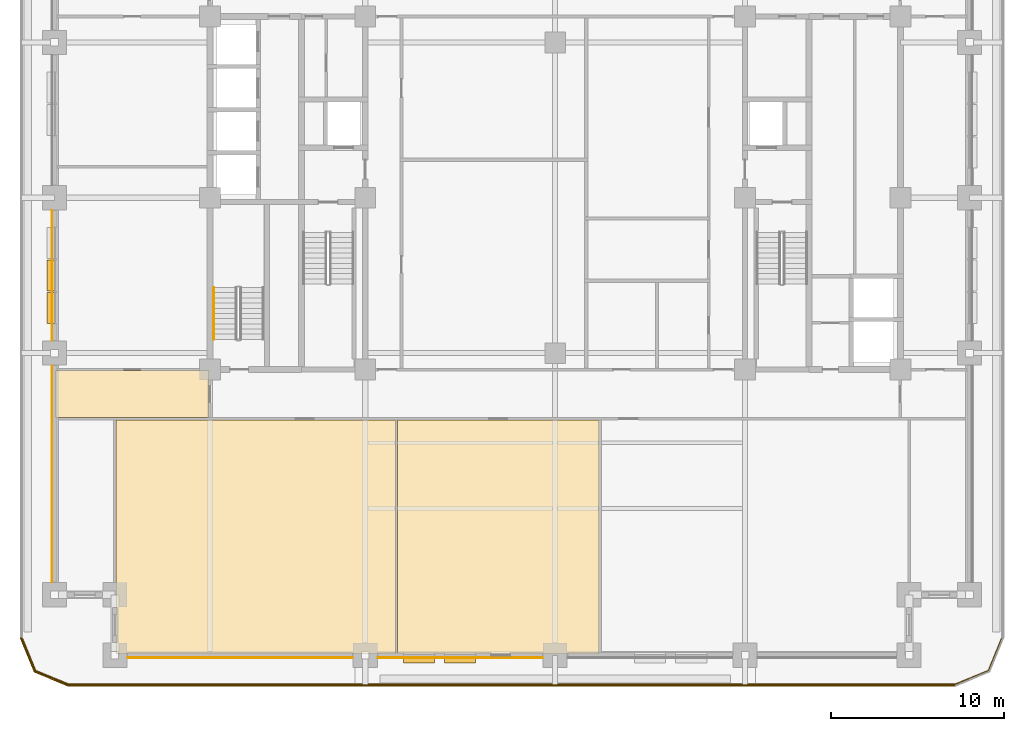
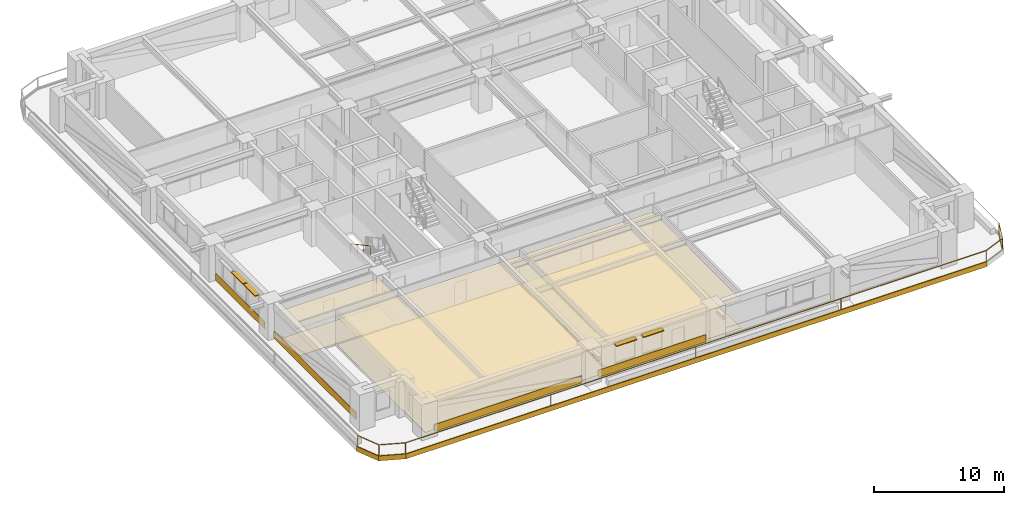
# One storey, part 7 of 14: 13 coverings, 4 shading devices, 2 railings.
"""IFC4 building model written with IfcOpenShell, lengths in metres."""

from ifc_helpers import new_model, si_unit, direction, frame, frame_2d, origin, origin_2d, place, context, subcontext, project, spatial, polyline, rectangle, outline, extrude, material, layer, layer_set, type_object, element, save


model = new_model("IFC4")

# Units and contexts
model_context = context("Model", 3, precision=1e-05, world=origin(), true_north=direction((0.0, 1.0)))
body_context = subcontext(model_context, "Body", "Model", "MODEL_VIEW")
ifc_project = project(units=[si_unit("LENGTHUNIT", "METRE"), si_unit("AREAUNIT", "SQUARE_METRE"), si_unit("VOLUMEUNIT", "CUBIC_METRE"), si_unit("PLANEANGLEUNIT", "RADIAN"), si_unit("MASSUNIT", "GRAM", prefix="KILO")], contexts=[model_context])

# Site, building, storey
site_placement = place(None, origin())
site = spatial("IfcSite", under=ifc_project, at=site_placement, CompositionType="ELEMENT")
building_placement = place(site_placement, origin())
building = spatial("IfcBuilding", under=site, at=building_placement, Name="Zulmaris Gate Convention Tower", CompositionType="ELEMENT")
storey_placement = place(building_placement, frame((0.0, 0.0, 64.329833984375)))
storey = spatial("IfcBuildingStorey", under=building, at=storey_placement, Name="L15", CompositionType="ELEMENT", Elevation=64.329833984375)

# Coverings
ifc_material_1 = material(Name="Precast concrete C40/50", Category="concrete")
ifc_layer_1 = layer(ifc_material_1, 0.0400390625, Name="Precast concrete C40/50")
ifc_layer_set_1 = layer_set([ifc_layer_1], Name="Precast concrete C40/50")
covering_type_1 = type_object("IfcCoveringType", Name="CLAD-SPANDREL-PRECAST", PredefinedType="CLADDING", material=ifc_layer_set_1)
covering_1_placement = place(storey_placement, frame((-24.77001953125, -26.64990234375, 0.0), z_axis=(0.0, 0.0, 1.0), x_axis=(1.0, 0.0, 0.0)))
element("IfcCovering", 1, at=covering_1_placement, inside=storey, type_object=covering_type_1, Name="CLD-L15-S-0_0", PredefinedType="CLADDING", context=body_context, shape_type="SweptSolid", body=[
    extrude(rectangle(XDim=13.0400390625, YDim=0.0400390625, at=frame_2d((6.52001953125, 0.0))), origin(), (0.0, 0.0, 1.0), 0.679931640625),
])
covering_2_placement = place(storey_placement, frame((-10.27001953125, -26.64990234375, 0.0), z_axis=(0.0, 0.0, 1.0), x_axis=(1.0, 0.0, 0.0)))
element("IfcCovering", 2, at=covering_2_placement, inside=storey, type_object=covering_type_1, Name="CLD-L15-S-1_0", PredefinedType="CLADDING", context=body_context, shape_type="SweptSolid", body=[
    extrude(rectangle(XDim=9.5400390625, YDim=0.0400390625, at=frame_2d((4.77001953125, 0.0))), origin(), (0.0, 0.0, 1.0), 0.679931640625),
])
covering_3_placement = place(storey_placement, frame((-29.14990234375, -9.72998046875, 0.0), z_axis=(0.0, 0.0, 1.0), x_axis=(0.0, -1.0, 0.0)))
element("IfcCovering", 3, at=covering_3_placement, inside=storey, type_object=covering_type_1, Name="CLD-L15-W-0_0", PredefinedType="CLADDING", context=body_context, shape_type="SweptSolid", body=[
    extrude(rectangle(XDim=12.5400390625, YDim=0.0400390625, at=frame_2d((6.27001953125, 0.0))), origin(), (0.0, 0.0, 1.0), 0.679931640625),
])
covering_4_placement = place(storey_placement, frame((-29.14990234375, -0.72998046875, 0.0), z_axis=(0.0, 0.0, 1.0), x_axis=(0.0, -1.0, 0.0)))
element("IfcCovering", 4, at=covering_4_placement, inside=storey, type_object=covering_type_1, Name="CLD-L15-W-1_0", PredefinedType="CLADDING", context=body_context, shape_type="SweptSolid", body=[
    extrude(rectangle(XDim=7.5400390625, YDim=0.0400390625, at=frame_2d((3.77001953125, 0.0))), origin(), (0.0, 0.0, 1.0), 0.679931640625),
])
ifc_material_2 = material(Name="White Glazed Architectural Precast Concrete C40/50", Category="concrete")
ifc_layer_2 = layer(ifc_material_2, 0.080078125, Name="White Glazed Architectural Precast Concrete C40/50")
ifc_layer_set_2 = layer_set([ifc_layer_2], Name="White Glazed Architectural Precast Concrete C40/50")
covering_type_2 = type_object("IfcCoveringType", Name="CLAD-TRAY-FASCIA", PredefinedType="CLADDING", material=ifc_layer_set_2)
covering_5_placement = place(storey_placement, frame((-30.962890625, -25.484619140625, -0.340087890625), z_axis=(0.0, 0.0, 1.0), x_axis=(0.382656984709, -0.923890487046, 0.0)))
element("IfcCovering", 5, at=covering_5_placement, inside=storey, type_object=covering_type_2, Name="FSC-L15-TR-00", PredefinedType="CLADDING", context=body_context, shape_type="SweptSolid", body=[
    extrude(rectangle(XDim=2.14306640625, YDim=0.080078125, at=frame_2d((1.071533203125, 0.0))), origin(), (0.0, 0.0, 1.0), 0.4599609375),
])
covering_6_placement = place(storey_placement, frame((-30.16455078125, -27.44287109375, -0.340087890625), z_axis=(0.0, 0.0, 1.0), x_axis=(0.923873803533, -0.382697263049, 0.0)))
element("IfcCovering", 6, at=covering_6_placement, inside=storey, type_object=covering_type_2, Name="FSC-L15-TR-01", PredefinedType="CLADDING", context=body_context, shape_type="SweptSolid", body=[
    extrude(rectangle(XDim=2.142822265625, YDim=0.080078125, at=frame_2d((1.0712890625, 0.0))), origin(), (0.0, 0.0, 1.0), 0.4599609375),
])
covering_7_placement = place(storey_placement, frame((-28.199951171875, -28.260009765625, -0.340087890625), z_axis=(0.0, 0.0, 1.0), x_axis=(1.0, 0.0, 0.0)))
element("IfcCovering", 7, at=covering_7_placement, inside=storey, type_object=covering_type_2, Name="FSC-L15-TR-02", PredefinedType="CLADDING", context=body_context, shape_type="SweptSolid", body=[
    extrude(rectangle(XDim=51.39990234375, YDim=0.080078125, at=frame_2d((25.699951171875, 0.0))), origin(), (0.0, 0.0, 1.0), 0.4599609375),
])
ifc_material_3 = material(Name="Mineral Fibre Acoustic Ceiling Tile")
ifc_layer_3 = layer(ifc_material_3, 0.02001953125, Name="Mineral Fibre Acoustic Ceiling Tile")
ifc_layer_set_3 = layer_set([ifc_layer_3], Name="Mineral Fibre Acoustic Ceiling Tile")
covering_type_3 = type_object("IfcCoveringType", Name="CLG-ACOUSTIC-600", PredefinedType="CEILING", material=ifc_layer_set_3)
covering_8_placement = place(storey_placement, frame((0.0, 0.0, 2.628173828125)))
element("IfcCovering", 8, at=covering_8_placement, inside=storey, type_object=covering_type_3, Name="CLG-L15-R36", PredefinedType="CEILING", context=body_context, shape_type="SweptSolid", body=[
    extrude(outline(polyline([(-25.43994140625, -26.43994140625), (-9.260009765625, -26.43994140625), (-9.260009765625, -12.860107421875), (-25.43994140625, -12.860107421875), (-25.43994140625, -26.43994140625)])), origin(), (0.0, 0.0, 1.0), 0.019775390625),
])
covering_9_placement = place(storey_placement, frame((0.0, 0.0, 2.628173828125)))
element("IfcCovering", 9, at=covering_9_placement, inside=storey, type_object=covering_type_3, Name="CLG-L15-R37", PredefinedType="CEILING", context=body_context, shape_type="SweptSolid", body=[
    extrude(outline(polyline([(-9.139892578125, -26.43994140625), (2.5400390625, -26.43994140625), (2.5400390625, -12.860107421875), (-9.139892578125, -12.860107421875), (-9.139892578125, -26.43994140625)])), origin(), (0.0, 0.0, 1.0), 0.019775390625),
])
covering_10_placement = place(storey_placement, frame((0.0, 0.0, 2.628173828125)))
element("IfcCovering", 10, at=covering_10_placement, inside=storey, type_object=covering_type_3, Name="CLG-L15-R46", PredefinedType="CEILING", context=body_context, shape_type="SweptSolid", body=[
    extrude(outline(polyline([(-28.93994140625, -12.739990234375), (-20.06005859375, -12.739990234375), (-20.06005859375, -10.010009765625), (-28.93994140625, -10.010009765625), (-28.93994140625, -12.739990234375)])), origin(), (0.0, 0.0, 1.0), 0.019775390625),
])
ifc_material_4 = material(Name="Woven Acoustic Wool Carpet Tile")
ifc_layer_4 = layer(ifc_material_4, 0.02001953125, Name="Woven Acoustic Wool Carpet Tile")
ifc_layer_set_4 = layer_set([ifc_layer_4], Name="Woven Acoustic Wool Carpet Tile")
covering_type_4 = type_object("IfcCoveringType", Name="FLR-CARPET-12", PredefinedType="FLOORING", material=ifc_layer_set_4)
covering_11_placement = place(storey_placement, origin())
element("IfcCovering", 11, at=covering_11_placement, inside=storey, type_object=covering_type_4, Name="FLR-L15-R37", PredefinedType="FLOORING", context=body_context, shape_type="SweptSolid", body=[
    extrude(outline(polyline([(-9.139892578125, -26.43994140625), (2.5400390625, -26.43994140625), (2.5400390625, -12.860107421875), (-9.139892578125, -12.860107421875), (-9.139892578125, -26.43994140625)])), origin(), (0.0, 0.0, 1.0), 0.02001953125),
])
covering_12_placement = place(storey_placement, origin())
element("IfcCovering", 12, at=covering_12_placement, inside=storey, type_object=covering_type_4, Name="FLR-L15-R46", PredefinedType="FLOORING", context=body_context, shape_type="SweptSolid", body=[
    extrude(outline(polyline([(-28.93994140625, -12.739990234375), (-20.06005859375, -12.739990234375), (-20.06005859375, -10.010009765625), (-28.93994140625, -10.010009765625), (-28.93994140625, -12.739990234375)])), origin(), (0.0, 0.0, 1.0), 0.02001953125),
])
ifc_material_5 = material(Name="Engineered Teak Parquet Flooring")
ifc_layer_5 = layer(ifc_material_5, 0.02001953125, Name="Engineered Teak Parquet Flooring")
ifc_layer_set_5 = layer_set([ifc_layer_5], Name="Engineered Teak Parquet Flooring")
covering_type_5 = type_object("IfcCoveringType", Name="FLR-TIMBER-18", PredefinedType="FLOORING", material=ifc_layer_set_5)
covering_13_placement = place(storey_placement, origin())
element("IfcCovering", 13, at=covering_13_placement, inside=storey, type_object=covering_type_5, Name="FLR-L15-R36", PredefinedType="FLOORING", context=body_context, shape_type="SweptSolid", body=[
    extrude(outline(polyline([(-25.43994140625, -26.43994140625), (-9.260009765625, -26.43994140625), (-9.260009765625, -12.860107421875), (-25.43994140625, -12.860107421875), (-25.43994140625, -26.43994140625)])), origin(), (0.0, 0.0, 1.0), 0.02001953125),
])

# Railings
ifc_material_6 = material(Name="Laminated Glass and Stainless Steel", Category="steel")
railing_type_1 = type_object("IfcRailingType", Name="RL-BALC-1150", PredefinedType="BALUSTRADE", material=ifc_material_6)
railing_1_placement = place(storey_placement, frame((-30.8798828125, -25.5, -0.0400390625)))
element("IfcRailing", 14, at=railing_1_placement, inside=storey, type_object=railing_type_1, Name="RL-L15-BALC-S", PredefinedType="BALUSTRADE", context=body_context, shape_type="SweptSolid", body=[
    extrude(rectangle(XDim=0.048095703125, YDim=0.048095703125, at=origin_2d()), frame((0.0, 0.0, 1.1259765625), z_axis=(0.382670664694, -0.92388482095, 0.0), x_axis=(0.92388482095, 0.382670664694, 0.0)), (0.0, 0.0, 1.0), 2.051025390625),
    extrude(rectangle(XDim=0.048095703125, YDim=0.048095703125, at=origin_2d()), frame((0.0, 0.0, 0.02392578125), z_axis=(0.382670664694, -0.92388482095, 0.0), x_axis=(0.92388482095, 0.382670664694, 0.0)), (0.0, 0.0, 1.0), 2.051025390625),
    extrude(rectangle(XDim=0.048095703125, YDim=0.048095703125, at=origin_2d()), frame((0.784912109375, -1.89501953125, 1.1259765625), z_axis=(0.92388482095, -0.382670664694, 0.0), x_axis=(0.382670664694, 0.92388482095, 0.0)), (0.0, 0.0, 1.0), 2.051025390625),
    extrude(rectangle(XDim=0.048095703125, YDim=0.048095703125, at=origin_2d()), frame((0.784912109375, -1.89501953125, 0.02392578125), z_axis=(0.92388482095, -0.382670664694, 0.0), x_axis=(0.382670664694, 0.92388482095, 0.0)), (0.0, 0.0, 1.0), 2.051025390625),
    extrude(rectangle(XDim=0.048095703125, YDim=0.048095703125, at=origin_2d()), frame((2.679931640625, -2.679931640625, 1.1259765625), z_axis=(1.0, 0.0, 0.0), x_axis=(0.0, 1.0, 0.0)), (0.0, 0.0, 1.0), 51.39990234375),
    extrude(rectangle(XDim=0.048095703125, YDim=0.048095703125, at=origin_2d()), frame((2.679931640625, -2.679931640625, 0.02392578125), z_axis=(1.0, 0.0, 0.0), x_axis=(0.0, 1.0, 0.0)), (0.0, 0.0, 1.0), 51.39990234375),
    extrude(rectangle(XDim=0.048095703125, YDim=0.048095703125, at=origin_2d()), frame((54.079833984375, -2.679931640625, 1.1259765625), z_axis=(0.92388482095, 0.382670664694, 0.0), x_axis=(-0.382670664694, 0.92388482095, 0.0)), (0.0, 0.0, 1.0), 2.051025390625),
    extrude(rectangle(XDim=0.048095703125, YDim=0.048095703125, at=origin_2d()), frame((54.079833984375, -2.679931640625, 0.02392578125), z_axis=(0.92388482095, 0.382670664694, 0.0), x_axis=(-0.382670664694, 0.92388482095, 0.0)), (0.0, 0.0, 1.0), 2.051025390625),
    extrude(rectangle(XDim=0.048095703125, YDim=0.048095703125, at=origin_2d()), frame((55.974853515625, -1.89501953125, 1.1259765625), z_axis=(0.382670664694, 0.92388482095, 0.0), x_axis=(-0.92388482095, 0.382670664694, 0.0)), (0.0, 0.0, 1.0), 2.051025390625),
    extrude(rectangle(XDim=0.048095703125, YDim=0.048095703125, at=origin_2d()), frame((55.974853515625, -1.89501953125, 0.02392578125), z_axis=(0.382670664694, 0.92388482095, 0.0), x_axis=(-0.92388482095, 0.382670664694, 0.0)), (0.0, 0.0, 1.0), 2.051025390625),
    extrude(rectangle(XDim=0.0419921875, YDim=0.0419921875, at=origin_2d()), origin(), (0.0, 0.0, 1.0), 1.101806640625),
    extrude(rectangle(XDim=0.0419921875, YDim=0.0419921875, at=origin_2d()), frame((0.784912109375, -1.89501953125, 0.0)), (0.0, 0.0, 1.0), 1.101806640625),
    extrude(rectangle(XDim=0.0419921875, YDim=0.0419921875, at=origin_2d()), frame((2.679931640625, -2.679931640625, 0.0)), (0.0, 0.0, 1.0), 1.101806640625),
    extrude(rectangle(XDim=0.0419921875, YDim=0.0419921875, at=origin_2d()), frame((15.52978515625, -2.679931640625, 0.0)), (0.0, 0.0, 1.0), 1.101806640625),
    extrude(rectangle(XDim=0.0419921875, YDim=0.0419921875, at=origin_2d()), frame((28.3798828125, -2.679931640625, 0.0)), (0.0, 0.0, 1.0), 1.101806640625),
    extrude(rectangle(XDim=0.0419921875, YDim=0.0419921875, at=origin_2d()), frame((41.22998046875, -2.679931640625, 0.0)), (0.0, 0.0, 1.0), 1.101806640625),
    extrude(rectangle(XDim=0.0419921875, YDim=0.0419921875, at=origin_2d()), frame((54.079833984375, -2.679931640625, 0.0)), (0.0, 0.0, 1.0), 1.101806640625),
    extrude(rectangle(XDim=0.0419921875, YDim=0.0419921875, at=origin_2d()), frame((55.974853515625, -1.89501953125, 0.0)), (0.0, 0.0, 1.0), 1.101806640625),
    extrude(rectangle(XDim=0.0419921875, YDim=0.0419921875, at=origin_2d()), frame((56.759765625, 0.0, 0.0)), (0.0, 0.0, 1.0), 1.101806640625),
])
ifc_material_7 = material(Name="Brushed Stainless Steel", Category="steel")
railing_type_2 = type_object("IfcRailingType", Name="RL-STH-900", PredefinedType="HANDRAIL", material=ifc_material_7)
railing_2_placement = place(storey_placement, frame((-19.77001953125, -5.199951171875, 1.947265625)))
element("IfcRailing", 15, at=railing_2_placement, inside=storey, type_object=railing_type_2, Name="L15 ST-3 stair handrail 2", PredefinedType="HANDRAIL", context=body_context, shape_type="SweptSolid", body=[
    extrude(rectangle(XDim=0.048095703125, YDim=0.048095703125, at=origin_2d()), frame((0.0, 0.0, 0.8759765625), z_axis=(0.0, -0.8795616155, 0.475784998228), x_axis=(1.0, 0.0, 0.0)), (0.0, 0.0, 1.0), 3.410888671875),
    extrude(rectangle(XDim=0.0419921875, YDim=0.0419921875, at=origin_2d()), origin(), (0.0, 0.0, 1.0), 0.851806640625),
    extrude(rectangle(XDim=0.0419921875, YDim=0.0419921875, at=origin_2d()), frame((0.0, -1.0, 0.541015625)), (0.0, 0.0, 1.0), 0.851806640625),
    extrude(rectangle(XDim=0.0419921875, YDim=0.0419921875, at=origin_2d()), frame((0.0, -2.0, 1.081787109375)), (0.0, 0.0, 1.0), 0.851806640625),
    extrude(rectangle(XDim=0.0419921875, YDim=0.0419921875, at=origin_2d()), frame((0.0, -3.0, 1.622802734375)), (0.0, 0.0, 1.0), 0.851806640625),
])

# Shading devices
ifc_material_8 = material(Name="Glazed Ceramic Terracotta", Category="masonry")
ifc_layer_6 = layer(ifc_material_8, 0.070068359375, Name="Glazed Ceramic Terracotta")
ifc_layer_set_6 = layer_set([ifc_layer_6], Name="Glazed Ceramic Terracotta")
shading_device_type = type_object("IfcShadingDeviceType", Name="SHD-SUNSHADE-TC", PredefinedType="AWNING", material=ifc_layer_set_6)
for number, where, z_axis, x_axis, name in (
    (16, (-8.784912109375, -26.719970703125, 2.530029296875), (0.0, 0.0, 1.0), (1.0, 0.0, 0.0), "SHD-EW-L15-S-1_0-1"),
    (17, (-6.39990234375, -26.719970703125, 2.530029296875), (0.0, 0.0, 1.0), (1.0, 0.0, 0.0), "SHD-EW-L15-S-1_0-2"),
    (18, (-29.219970703125, -3.60009765625, 2.530029296875), (0.0, 0.0, 1.0), (0.0, -1.0, 0.0), "SHD-EW-L15-W-1_0-2"),
    (19, (-29.219970703125, -5.485107421875, 2.530029296875), (0.0, 0.0, 1.0), (0.0, -1.0, 0.0), "SHD-EW-L15-W-1_0-3"),
):
    element("IfcShadingDevice", number, at=place(storey_placement, frame(where, z_axis=z_axis, x_axis=x_axis)), inside=storey, type_object=shading_device_type, Name=name, PredefinedType="AWNING", context=body_context, shape_type="SweptSolid", body=[
        extrude(rectangle(XDim=1.7998046875, YDim=0.43994140625, at=frame_2d((0.89990234375, 0.0))), origin(), (0.0, 0.0, 1.0), 0.06982421875),
    ])

save(model, "model.ifc")
